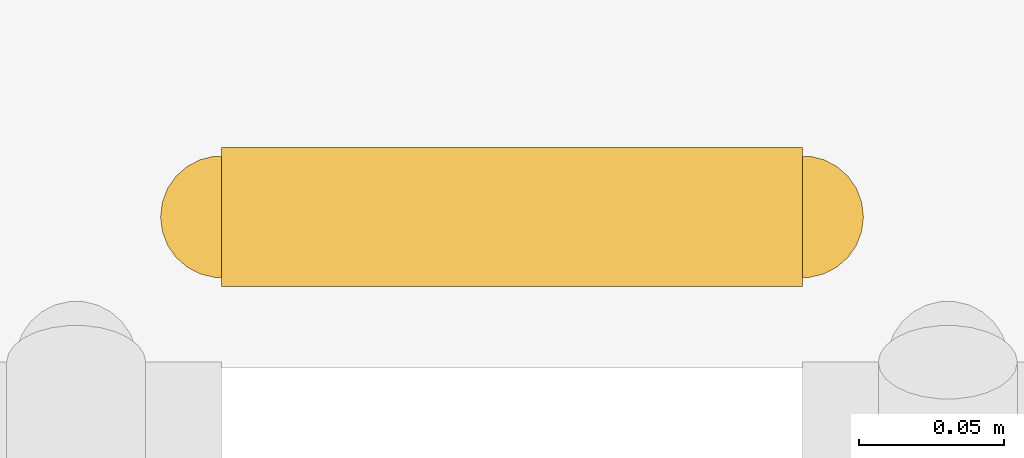
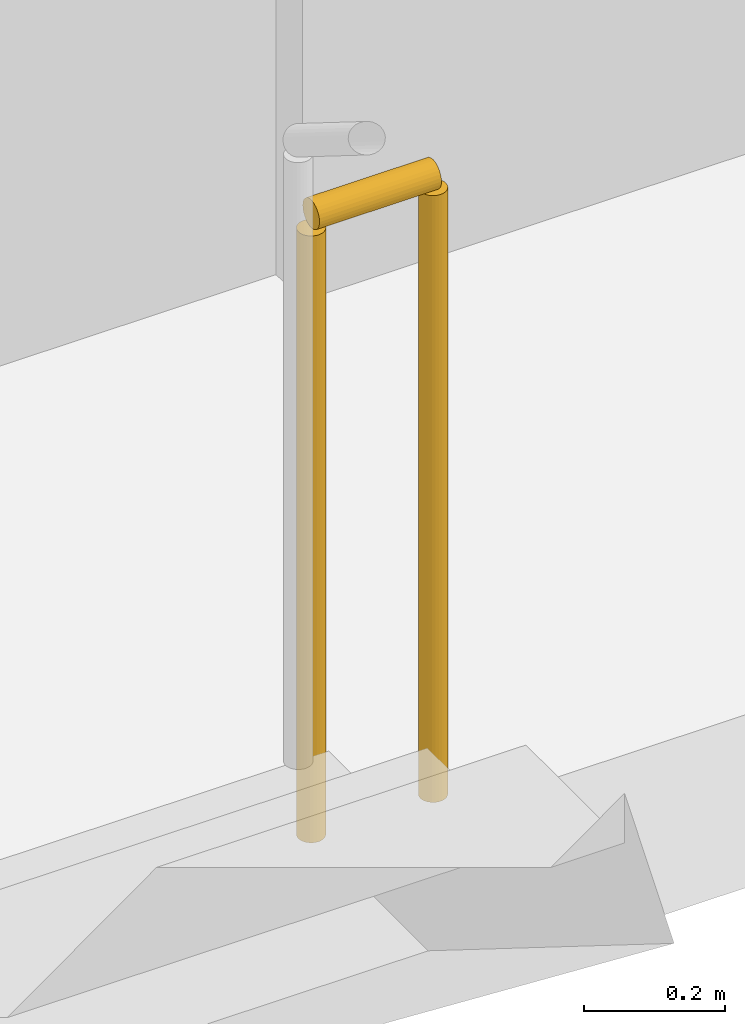
# One storey, part 20 of 22: 1 railing.
"""IFC4 building model written with IfcOpenShell, lengths in metres."""

from ifc_helpers import new_model, si_unit, direction, frame, origin, origin_2d, place, context, subcontext, project, spatial, circle, extrude, material, type_object, element, save


model = new_model("IFC4")

# Units and contexts
model_context = context("Model", 3, precision=1e-05, world=origin(), true_north=direction((0.0, 1.0)))
body_context = subcontext(model_context, "Body", "Model", "MODEL_VIEW")
ifc_project = project(units=[si_unit("LENGTHUNIT", "METRE"), si_unit("AREAUNIT", "SQUARE_METRE"), si_unit("VOLUMEUNIT", "CUBIC_METRE"), si_unit("PLANEANGLEUNIT", "RADIAN"), si_unit("MASSUNIT", "GRAM", prefix="KILO")], contexts=[model_context])

# Site, building, storey
site_placement = place(None, origin())
site = spatial("IfcSite", under=ifc_project, at=site_placement, CompositionType="ELEMENT")
building_placement = place(site_placement, origin())
building = spatial("IfcBuilding", under=site, at=building_placement, Name="Kiln Ring Residences", CompositionType="ELEMENT")
storey_placement = place(building_placement, frame((0.0, 0.0, 90.300048828125)))
storey = spatial("IfcBuildingStorey", under=building, at=storey_placement, Name="L22", CompositionType="ELEMENT", Elevation=90.300048828125)

# Railing
ifc_material = material(Name="Stainless steel", Category="steel")
railing_type = type_object("IfcRailingType", Name="CORE-STAIR-GUARD", PredefinedType="GUARDRAIL", material=ifc_material)
railing_placement = place(storey_placement, frame((-22.199951171875, 8.449951171875, 0.0)))
element("IfcRailing", 1, at=railing_placement, inside=storey, type_object=railing_type, Name="L22 W-STN stair guard 4", PredefinedType="GUARDRAIL", context=body_context, shape_type="SweptSolid", body=[
    extrude(circle(Radius=0.02392578125, at=origin_2d()), frame((0.0, 0.0, 1.076171875), z_axis=(1.0, 0.0, 0.0), x_axis=(0.0, 1.0, 0.0)), (0.0, 0.0, 1.0), 0.199951171875),
    extrude(circle(Radius=0.02099609375, at=origin_2d()), origin(), (0.0, 0.0, 1.0), 1.052001953125),
    extrude(circle(Radius=0.02099609375, at=origin_2d()), frame((0.199951171875, 0.0, 0.0)), (0.0, 0.0, 1.0), 1.052001953125),
])

save(model, "model.ifc")
